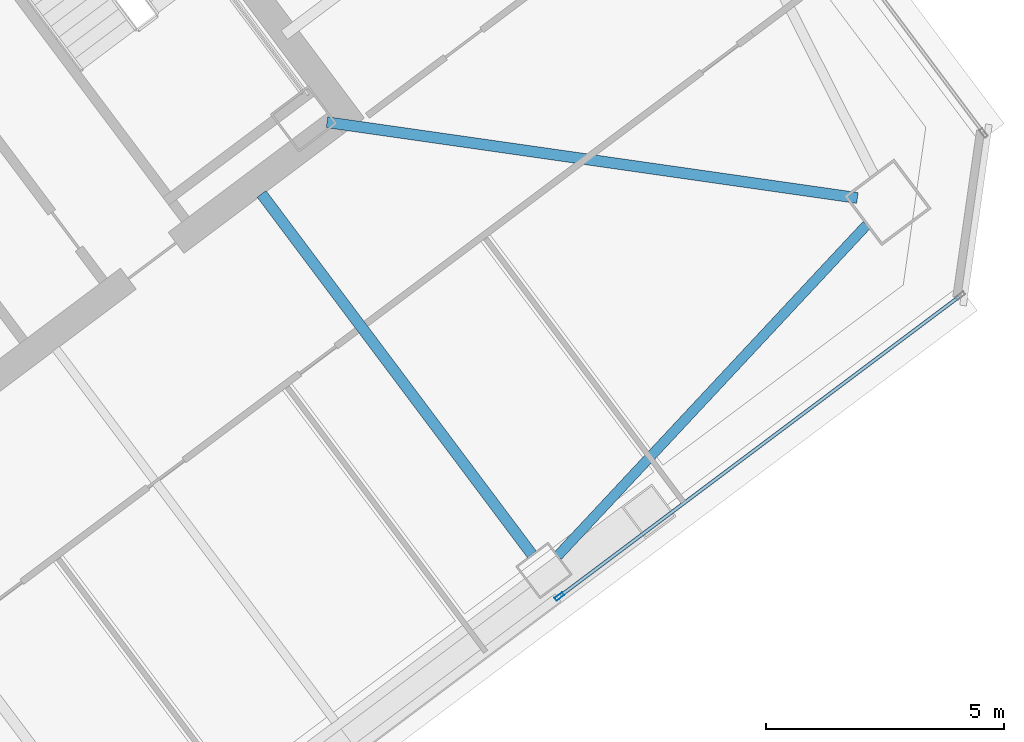
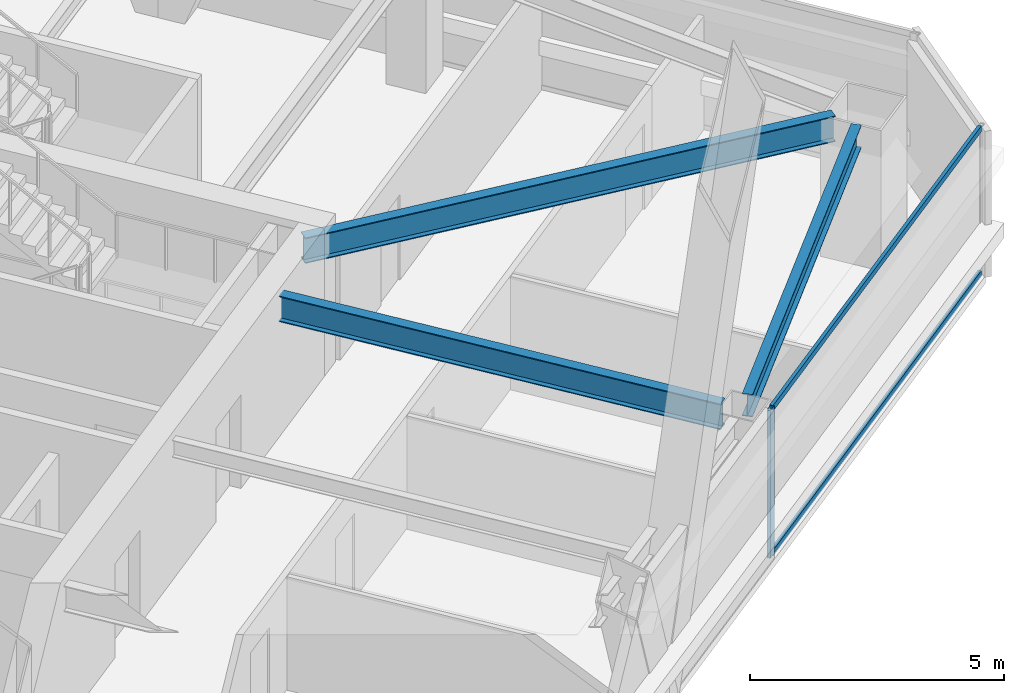
# One storey, part 29 of 50: 3 beams, 3 members, 1 element without a shape of its own.
"""IFC4 building model written with IfcOpenShell, lengths in metres."""

from ifc_helpers import new_model, si_unit, direction, frame, origin, origin_2d, place, context, subcontext, project, spatial, hollow_rectangle, i_section, extrude, material, material_profile, profile_set, type_object, element, aggregate, save


model = new_model("IFC4")

# Units and contexts
model_context = context("Model", 3, precision=1e-05, world=origin(), true_north=direction((0.0, 1.0)))
body_context = subcontext(model_context, "Body", "Model", "MODEL_VIEW")
ifc_project = project(units=[si_unit("LENGTHUNIT", "METRE"), si_unit("AREAUNIT", "SQUARE_METRE"), si_unit("VOLUMEUNIT", "CUBIC_METRE"), si_unit("PLANEANGLEUNIT", "RADIAN"), si_unit("MASSUNIT", "GRAM", prefix="KILO")], contexts=[model_context])

# Site, building, storey
site_placement = place(None, origin())
site = spatial("IfcSite", under=ifc_project, at=site_placement, CompositionType="ELEMENT")
building_placement = place(site_placement, origin())
building = spatial("IfcBuilding", under=site, at=building_placement, Name="Tashvorn Skyway Center", CompositionType="ELEMENT")
storey_placement = place(building_placement, frame((0.0, 0.0, 114.39990234375)))
storey = spatial("IfcBuildingStorey", under=building, at=storey_placement, Name="L30", CompositionType="ELEMENT", Elevation=114.39990234375)

# Beams
ifc_material_1 = material(Name="Steel ASTM A992 Grade 50", Category="steel")
ifc_material_profile_1 = material_profile(ifc_material_1, i_section(OverallWidth=0.22998046875, OverallDepth=0.616943359375, WebThickness=0.01318359375, FlangeThickness=0.022216796875, at=origin_2d()), Name="W24X94")
ifc_profile_set_1 = profile_set([ifc_material_profile_1], Name="Steel ASTM A992 Grade 50")
beam_type_1 = type_object("IfcBeamType", Name="BM-BEAM-W24X94", PredefinedType="BEAM", material=ifc_profile_set_1)
beam_1_placement = place(storey_placement, frame((135.4814453125, 28.93115234375, 3.0615234375), z_axis=(-0.989948189712, 0.141430483583, 0.0), x_axis=(-0.141430483583, -0.989948189712, 0.0)))
element("IfcBeam", 1, at=beam_1_placement, inside=storey, type_object=beam_type_1, Name="Tower 2 L30 Primary Floor Girder MC-SE", PredefinedType="BEAM", context=body_context, shape_type="SweptSolid", body=[
    extrude(i_section(OverallWidth=0.22998046875, OverallDepth=0.616943359375, WebThickness=0.01318359375, FlangeThickness=0.022216796875, at=origin_2d()), origin(), (0.0, 0.0, 1.0), 11.234375),
])
beam_2_placement = place(storey_placement, frame((128.657958984375, 21.4560546875, 3.0615234375), z_axis=(-0.599991732772, 0.800006200354, 0.0), x_axis=(-0.800006200354, -0.599991732772, 0.0)))
element("IfcBeam", 2, at=beam_2_placement, inside=storey, type_object=beam_type_1, Name="Tower 2 L30 Primary Floor Girder FC-S2", PredefinedType="BEAM", context=body_context, shape_type="SweptSolid", body=[
    extrude(i_section(OverallWidth=0.22998046875, OverallDepth=0.616943359375, WebThickness=0.01318359375, FlangeThickness=0.022216796875, at=origin_2d()), origin(), (0.0, 0.0, 1.0), 9.449951171875),
])
ifc_material_profile_2 = material_profile(ifc_material_1, i_section(OverallWidth=0.2109375, OverallDepth=0.5390625, WebThickness=0.01171875, FlangeThickness=0.018798828125, at=origin_2d()), Name="W21X73")
ifc_profile_set_2 = profile_set([ifc_material_profile_2], Name="Steel ASTM A992 Grade 50")
beam_type_2 = type_object("IfcBeamType", Name="BM-SPANDREL-W21X73", PredefinedType="SPANDREL", material=ifc_profile_set_2)
beam_3_placement = place(storey_placement, frame((129.19677734375, 21.427001953125, 3.1005859375), z_axis=(0.682545341102, 0.730843250868, 0.0), x_axis=(-0.730843250868, 0.682545341102, 0.0)))
element("IfcBeam", 3, at=beam_3_placement, inside=storey, type_object=beam_type_2, Name="Tower 2 L30 Spandrel Beam 03", PredefinedType="SPANDREL", context=body_context, shape_type="SweptSolid", body=[
    extrude(i_section(OverallWidth=0.2109375, OverallDepth=0.5390625, WebThickness=0.01171875, FlangeThickness=0.018798828125, at=origin_2d()), origin(), (0.0, 0.0, 1.0), 9.498046875),
])

# Curtain wall, members
ifc_material_2 = material(Name="Thermally broken bronze-anodized aluminium 6063-T6", Category="aluminium")
curtain_wall_type = type_object("IfcCurtainWallType", Name="CW-CW-Z3", PredefinedType="NOTDEFINED", material=ifc_material_2)
curtain_wall_placement = place(storey_placement, origin())
curtain_wall = element("IfcCurtainWall", 4, at=curtain_wall_placement, inside=storey, type_object=curtain_wall_type, Name="Tower 2 L30 South Unitised Curtain Wall Glazing Group 1", PredefinedType="NOTDEFINED")
ifc_material_profile_3 = material_profile(ifc_material_2, hollow_rectangle(XDim=0.074951171875, YDim=0.199951171875, WallThickness=0.00439453125, at=origin_2d()), Name="ALU-MULL-75x200")
ifc_profile_set_3 = profile_set([ifc_material_profile_3], Name="Thermally broken bronze-anodized aluminium 6063-T6")
member_type_1 = type_object("IfcMemberType", Name="CWM-CW-Z3", PredefinedType="MULLION", material=ifc_profile_set_3)
member_1_placement = place(storey_placement, frame((129.232666015625, 20.574462890625, 0.0), z_axis=(0.0, 0.0, 1.0), x_axis=(0.600001511345, -0.799998866489, 0.0)))
member_1 = element("IfcMember", 5, at=member_1_placement, type_object=member_type_1, Name="CW-Z3 mullion 2", PredefinedType="MULLION", context=body_context, shape_type="SweptSolid", body=[
    extrude(hollow_rectangle(XDim=0.074951171875, YDim=0.199951171875, WallThickness=0.00439453125, at=origin_2d()), origin(), (0.0, 0.0, 1.0), 3.550048828125),
])
ifc_material_profile_4 = material_profile(ifc_material_2, hollow_rectangle(XDim=0.074951171875, YDim=0.139892578125, WallThickness=0.004150390625, at=origin_2d()), Name="ALU-TRAN-75x140")
ifc_profile_set_4 = profile_set([ifc_material_profile_4], Name="Thermally broken bronze-anodized aluminium 6063-T6")
member_type_2 = type_object("IfcMemberType", Name="CWT-CW-Z3", PredefinedType="USERDEFINED", material=ifc_profile_set_4)
member_2_placement = place(storey_placement, frame((137.612060546875, 26.85888671875, 0.03759765625), z_axis=(-0.800002807101, -0.599996257181, 0.0), x_axis=(0.599996257181, -0.800002807101, 0.0)))
member_2 = element("IfcMember", 6, at=member_2_placement, type_object=member_type_2, Name="CW-Z3 transom 1.1", ObjectType="TRANSOM", PredefinedType="USERDEFINED", context=body_context, shape_type="SweptSolid", body=[
    extrude(hollow_rectangle(XDim=0.074951171875, YDim=0.139892578125, WallThickness=0.004150390625, at=origin_2d()), origin(), (0.0, 0.0, 1.0), 10.436767578125),
])
member_3_placement = place(storey_placement, frame((137.612060546875, 26.85888671875, 3.5126953125), z_axis=(-0.800002807101, -0.599996257181, 0.0), x_axis=(0.599996257181, -0.800002807101, 0.0)))
member_3 = element("IfcMember", 7, at=member_3_placement, type_object=member_type_2, Name="CW-Z3 transom 1.2", ObjectType="TRANSOM", PredefinedType="USERDEFINED", context=body_context, shape_type="SweptSolid", body=[
    extrude(hollow_rectangle(XDim=0.074951171875, YDim=0.139892578125, WallThickness=0.004150390625, at=origin_2d()), origin(), (0.0, 0.0, 1.0), 10.436767578125),
])
aggregate(curtain_wall, [member_1, member_2, member_3])

save(model, "model.ifc")
